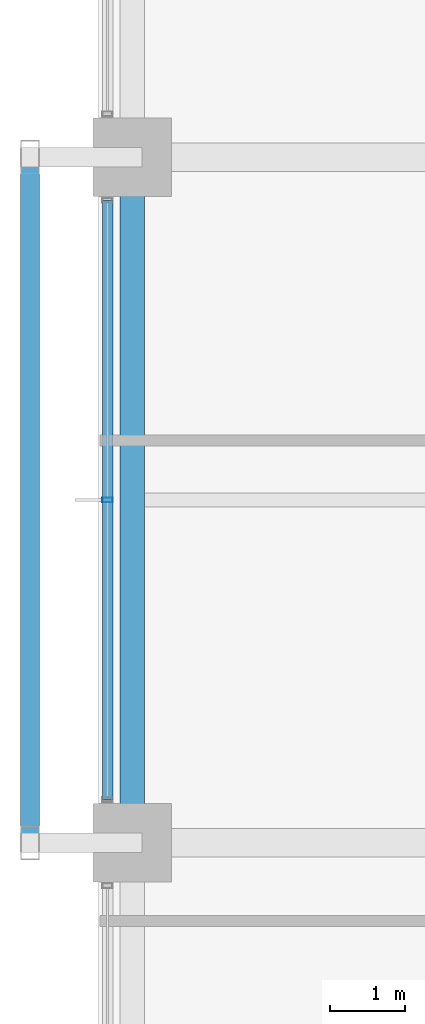
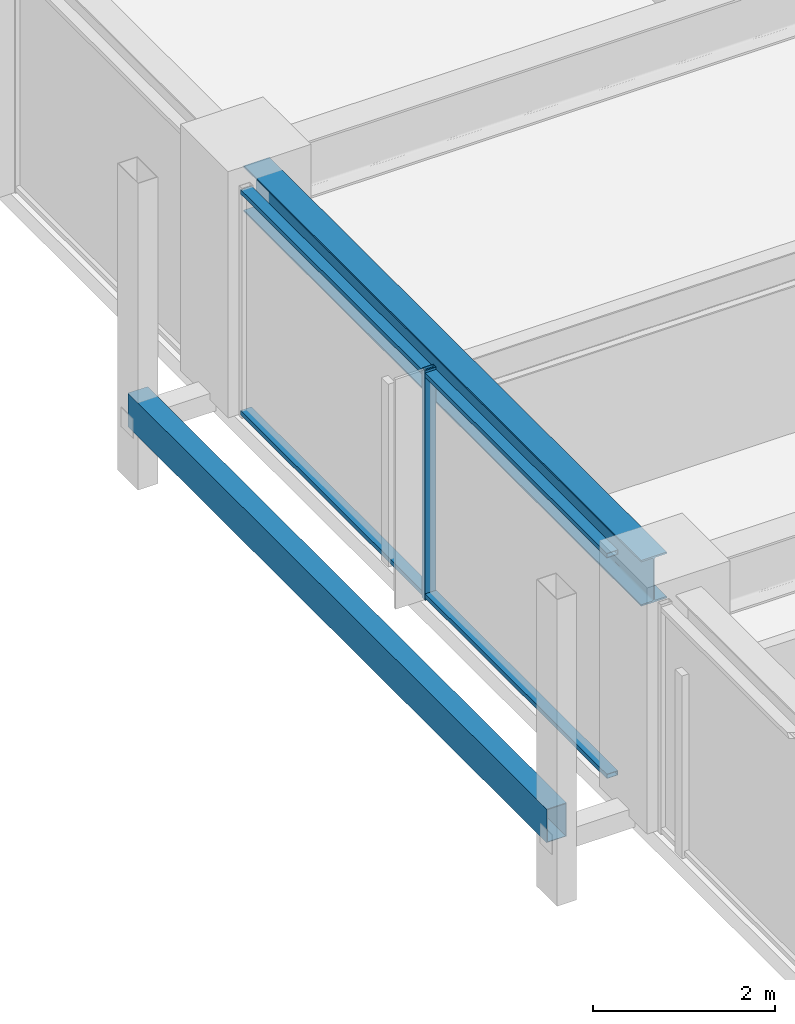
# One storey, part 9 of 38: 4 members, 1 beam, 1 element without a shape of its own.
"""IFC4 building model written with IfcOpenShell, lengths in metres."""

import ifcopenshell
import ifcopenshell.guid

model = None  # the IFC model being written
_history = None  # IfcOwnerHistory: only IFC2X3 demands one
_inside = {}  # id of a spatial element -> (the spatial element, [elements in it])
_under = {}  # id of a project, library or spatial element -> (it, [spatial elements below it])
_declared = {}  # id of a project -> (the project, [libraries it declares])
_typed = {}  # id of a type object -> (the type object, [elements of that type])
_made_of = {}  # id of a material, layer set ... -> (it, [elements and type objects made of it])


def new_model(schema):
    """Start an empty IFC model of exactly this schema.

    Asked for "IFC4X3", IfcOpenShell would pick the latest addendum, in which some entities
    have other attributes; the version numbers below select the first issue.
    IFC2X3 requires an IfcOwnerHistory on every rooted entity: one is made here for all.
    """
    global model, _history
    if schema == "IFC4X3":
        model = ifcopenshell.file(schema_version=(4, 3, 0, 0))
    else:
        model = ifcopenshell.file(schema=schema)
    _inside.clear()
    _under.clear()
    _declared.clear()
    _typed.clear()
    _made_of.clear()
    _history = None
    if model.schema == "IFC2X3":
        org = make("IfcOrganization", Name="unknown")
        user = make(
            "IfcPersonAndOrganization",
            ThePerson=make("IfcPerson", FamilyName="unknown"),
            TheOrganization=org,
        )
        app = make(
            "IfcApplication",
            ApplicationDeveloper=org,
            Version="unknown",
            ApplicationFullName="unknown",
            ApplicationIdentifier="unknown",
        )
        _history = make(
            "IfcOwnerHistory",
            OwningUser=user,
            OwningApplication=app,
            ChangeAction="ADDED",
            CreationDate=0,
        )
    return model


def make(cls, **values):
    """One entity of the class cls with the attributes given. An attribute that is None is left unset."""
    return model.create_entity(
        cls, **{name: value for name, value in values.items() if value is not None}
    )


def rooted(cls, **values):
    """An entity with a GlobalId (a new one), such as an element, a storey or a relation."""
    return make(cls, GlobalId=ifcopenshell.guid.new(), OwnerHistory=_history, **values)


def si_unit(unit_type, name, prefix=None):
    """IfcSIUnit, for example si_unit("LENGTHUNIT", "METRE", prefix="MILLI")."""
    return make("IfcSIUnit", UnitType=unit_type, Prefix=prefix, Name=name)


def assignment(units):
    """IfcUnitAssignment: the units of a project."""
    return None if units is None else make("IfcUnitAssignment", Units=units)


def point(xyz):
    """IfcCartesianPoint."""
    return None if xyz is None else make("IfcCartesianPoint", Coordinates=xyz)


def direction(xyz):
    """IfcDirection."""
    return None if xyz is None else make("IfcDirection", DirectionRatios=xyz)


def frame(location, z_axis=None, x_axis=None):
    """IfcAxis2Placement3D, a coordinate frame: its origin and axes. An axis left out is left unset."""
    return make(
        "IfcAxis2Placement3D",
        Location=point(location),
        Axis=direction(z_axis),
        RefDirection=direction(x_axis),
    )


def frame_2d(location, x_axis=None):
    """IfcAxis2Placement2D, a coordinate frame in the plane: its origin and x axis."""
    return make(
        "IfcAxis2Placement2D", Location=point(location), RefDirection=direction(x_axis)
    )


def origin():
    """The frame at (0, 0, 0) with its axes left unset."""
    return frame((0.0, 0.0, 0.0))


def origin_2d():
    """The frame at (0, 0) in the plane with its x axis left unset."""
    return frame_2d((0.0, 0.0))


def place(relative_to, where):
    """IfcLocalPlacement: puts the frame where relative to a parent placement (None: the world)."""
    return make(
        "IfcLocalPlacement", PlacementRelTo=relative_to, RelativePlacement=where
    )


def context(
    kind, dimensions, precision=None, world=None, true_north=None, identifier=None
):
    """IfcGeometricRepresentationContext, for example the 3D "Model" context."""
    return make(
        "IfcGeometricRepresentationContext",
        ContextIdentifier=identifier,
        ContextType=kind,
        CoordinateSpaceDimension=dimensions,
        Precision=precision,
        WorldCoordinateSystem=world,
        TrueNorth=true_north,
    )


def subcontext(parent, identifier, kind, view, scale=None):
    """IfcGeometricRepresentationSubContext, for example "Body" below "Model"."""
    return make(
        "IfcGeometricRepresentationSubContext",
        ContextIdentifier=identifier,
        ContextType=kind,
        ParentContext=parent,
        TargetScale=scale,
        TargetView=view,
    )


def project(units=None, contexts=None):
    """IfcProject with its units and contexts."""
    return rooted(
        "IfcProject",
        Name="project",
        RepresentationContexts=contexts,
        UnitsInContext=assignment(units),
    )


def spatial(cls, under=None, at=None, **own):
    """A site, building, storey or space (cls), placed at a placement, below another one or the project."""
    s = rooted(cls, ObjectPlacement=at, **own)
    if under is not None:
        _under.setdefault(under.id(), (under, []))[1].append(s)
    return s


def profile(cls, at=None, kind="AREA", **sizes):
    """A parametric profile (cls). Its sizes go by their IFC names, for example OverallWidth=200.0."""
    return make(cls, ProfileType=kind, Position=at, **sizes)


def hollow_rectangle(**sizes):
    """IfcRectangleHollowProfileDef."""
    return profile("IfcRectangleHollowProfileDef", **sizes)


def i_section(**sizes):
    """IfcIShapeProfileDef."""
    return profile("IfcIShapeProfileDef", **sizes)


def extrude(swept, where, along, depth):
    """IfcExtrudedAreaSolid: the profile swept, set in the frame where, extruded along a direction by depth."""
    return make(
        "IfcExtrudedAreaSolid",
        SweptArea=swept,
        Position=where,
        ExtrudedDirection=direction(along),
        Depth=depth,
    )


def shape(context_of_items, identifier, shape_type, items):
    """IfcShapeRepresentation: the items that make up one representation, for example the "Body"."""
    return make(
        "IfcShapeRepresentation",
        ContextOfItems=context_of_items,
        RepresentationIdentifier=identifier,
        RepresentationType=shape_type,
        Items=items,
    )


def material(Name=None, Category=None):
    """IfcMaterial."""
    return make("IfcMaterial", Name=Name, Category=Category)


def material_profile(
    of_material, cross_section, Name=None, Category=None, Priority=None
):
    """IfcMaterialProfile: a cross section and its material."""
    return make(
        "IfcMaterialProfile",
        Name=Name,
        Material=of_material,
        Profile=cross_section,
        Priority=Priority,
        Category=Category,
    )


def profile_set(profiles, Name=None, composite=None):
    """IfcMaterialProfileSet."""
    return make(
        "IfcMaterialProfileSet",
        Name=Name,
        MaterialProfiles=profiles,
        CompositeProfile=composite,
    )


def made_of(thing, what):
    """Note that an element or type object is made of a material, layer set ...; save() writes the relation."""
    if what is not None:
        _made_of.setdefault(what.id(), (what, []))[1].append(thing)
    return thing


def type_object(cls, material=None, **own):
    """A type object (cls), such as IfcWallType, which elements share."""
    return made_of(rooted(cls, **own), material)


def element(
    cls,
    number,
    at=None,
    inside=None,
    cuts=None,
    type_object=None,
    material=None,
    context=None,
    identifier="Body",
    shape_type=None,
    held_by="IfcProductDefinitionShape",
    body=None,
    shapes=None,
    **own,
):
    """One element of the class cls, such as IfcWall. Its Tag is "e" and its number.

    at: its placement. inside: the storey or other place that contains it. cuts: it is an
    opening in that element (IfcRelVoidsElement). A single representation is given by context,
    identifier, shape_type and body (its items); several are given by shapes. held_by: the class
    of the entity that holds the representations. save() writes the other relations.
    """
    e = rooted(cls, Tag="e%d" % number, ObjectPlacement=at, **own)
    if body is not None:
        shapes = [shape(context, identifier, shape_type, body)]
    if shapes is not None:
        e.Representation = make(held_by, Representations=shapes)
    if inside is not None:
        _inside.setdefault(inside.id(), (inside, []))[1].append(e)
    if cuts is not None:
        rooted(
            "IfcRelVoidsElement", RelatingBuildingElement=cuts, RelatedOpeningElement=e
        )
    if type_object is not None:
        _typed.setdefault(type_object.id(), (type_object, []))[1].append(e)
    return made_of(e, material)


def aggregate(whole, parts):
    """IfcRelAggregates: a whole, such as a stair, and the parts it consists of."""
    return rooted("IfcRelAggregates", RelatingObject=whole, RelatedObjects=parts)


def save(model, path):
    """Write the relations noted so far, then the file.

    IfcRelAggregates (storeys below a building ...), IfcRelContainedInSpatialStructure (elements
    in a storey), IfcRelDefinesByType, IfcRelAssociatesMaterial and IfcRelDeclares: one each for
    every whole, place, type object, material and project.
    """
    for whole, parts in _under.values():
        aggregate(whole, parts)
    for where, things in _inside.values():
        rooted(
            "IfcRelContainedInSpatialStructure",
            RelatedElements=things,
            RelatingStructure=where,
        )
    for kind, things in _typed.values():
        rooted("IfcRelDefinesByType", RelatedObjects=things, RelatingType=kind)
    for what, things in _made_of.values():
        rooted("IfcRelAssociatesMaterial", RelatedObjects=things, RelatingMaterial=what)
    for by, libraries in _declared.values():
        rooted("IfcRelDeclares", RelatingContext=by, RelatedDefinitions=libraries)
    model.write(path)


model = new_model("IFC4")

# Units and contexts
model_context = context("Model", 3, precision=1e-05, world=origin(), true_north=direction((0.0, 1.0)))
body_context = subcontext(model_context, "Body", "Model", "MODEL_VIEW")
ifc_project = project(units=[si_unit("LENGTHUNIT", "METRE"), si_unit("AREAUNIT", "SQUARE_METRE"), si_unit("VOLUMEUNIT", "CUBIC_METRE"), si_unit("PLANEANGLEUNIT", "RADIAN"), si_unit("MASSUNIT", "GRAM", prefix="KILO")], contexts=[model_context])

# Site, building, storey
site_placement = place(None, origin())
site = spatial("IfcSite", under=ifc_project, at=site_placement, CompositionType="ELEMENT")
building_placement = place(site_placement, origin())
building = spatial("IfcBuilding", under=site, at=building_placement, Name="Kolvaren Belvedere", CompositionType="ELEMENT")
storey_placement = place(building_placement, frame((0.0, 0.0, 72.199951171875)))
storey = spatial("IfcBuildingStorey", under=building, at=storey_placement, Name="L20", CompositionType="ELEMENT", Elevation=72.199951171875)

# Beam
ifc_material_1 = material(Name="Structural steel ASTM A992 Grade 50", Category="steel")
ifc_material_profile_1 = material_profile(ifc_material_1, i_section(OverallWidth=0.324951171875, OverallDepth=0.615966796875, WebThickness=0.013916015625, FlangeThickness=0.021484375, FilletRadius=0.02001953125, at=origin_2d()), Name="W24X117")
ifc_profile_set_1 = profile_set([ifc_material_profile_1], Name="Structural steel ASTM A992 Grade 50")
beam_type = type_object("IfcBeamType", Name="BM-SPAN-W24X117", PredefinedType="SPANDREL", material=ifc_profile_set_1)
beam_placement = place(storey_placement, frame((-19.949951171875, 4.36376953125, 2.77197265625), z_axis=(0.0, -1.0, 0.0), x_axis=(1.0, 0.0, 0.0)))
element("IfcBeam", 1, at=beam_placement, inside=storey, type_object=beam_type, Name="L20 Perimeter Spandrel W3-W2", PredefinedType="SPANDREL", context=body_context, shape_type="SweptSolid", body=[
    extrude(i_section(OverallWidth=0.324951171875, OverallDepth=0.615966796875, WebThickness=0.013916015625, FlangeThickness=0.021484375, FilletRadius=0.02001953125, at=origin_2d()), origin(), (0.0, 0.0, 1.0), 8.7275390625),
])

# Curtain wall, members
ifc_material_2 = material(Name="Anodised pale-metal aluminium AA 6063-T6", Category="aluminium")
curtain_wall_type = type_object("IfcCurtainWallType", Name="CW-Z2-MID", PredefinedType="NOTDEFINED", material=ifc_material_2)
curtain_wall_placement = place(storey_placement, origin())
curtain_wall = element("IfcCurtainWall", 2, at=curtain_wall_placement, inside=storey, type_object=curtain_wall_type, Name="L20 Unitised Curtain Wall FCW-L20-W-B2", PredefinedType="NOTDEFINED")
ifc_material_3 = material(Name="Anodised pale-metal aluminium AA 6063-T6", Category="aluminium")
ifc_material_profile_2 = material_profile(ifc_material_3, hollow_rectangle(XDim=0.06494140625, YDim=0.139892578125, WallThickness=0.00390625, at=origin_2d()), Name="ALU-MUL-140X65")
ifc_profile_set_2 = profile_set([ifc_material_profile_2], Name="Anodised pale-metal aluminium AA 6063-T6")
member_type_1 = type_object("IfcMemberType", Name="CW-MUL-140", PredefinedType="MULLION", material=ifc_profile_set_2)
member_1_placement = place(storey_placement, frame((-20.280029296875, 0.0, 0.0), z_axis=(0.0, 0.0, 1.0), x_axis=(0.0, 1.0, 0.0)))
member_1 = element("IfcMember", 3, at=member_1_placement, type_object=member_type_1, Name="FCW-L20-W-B2 Unitised Mullion 2", PredefinedType="MULLION", context=body_context, shape_type="SweptSolid", body=[
    extrude(hollow_rectangle(XDim=0.06494140625, YDim=0.139892578125, WallThickness=0.00390625, at=origin_2d()), origin(), (0.0, 0.0, 1.0), 3.080078125),
])
ifc_material_4 = material(Name="Anodised pale-metal aluminium AA 6063-T6", Category="aluminium")
ifc_material_profile_3 = material_profile(ifc_material_4, hollow_rectangle(XDim=0.06005859375, YDim=0.139892578125, WallThickness=0.00390625, at=origin_2d()), Name="ALU-TRN-140X60")
ifc_profile_set_3 = profile_set([ifc_material_profile_3], Name="Anodised pale-metal aluminium AA 6063-T6")
member_type_2 = type_object("IfcMemberType", Name="CW-TRN-140", PredefinedType="USERDEFINED", material=ifc_profile_set_3)
member_2_placement = place(storey_placement, frame((-20.280029296875, -4.0224609375, 0.06005859375), z_axis=(0.0, 1.0, 0.0), x_axis=(0.0, 0.0, 1.0)))
member_2 = element("IfcMember", 4, at=member_2_placement, type_object=member_type_2, Name="FCW-L20-W-B2 Sill Transom", ObjectType="TRANSOM", PredefinedType="USERDEFINED", context=body_context, shape_type="SweptSolid", body=[
    extrude(hollow_rectangle(XDim=0.06005859375, YDim=0.139892578125, WallThickness=0.00390625, at=origin_2d()), origin(), (0.0, 0.0, 1.0), 8.044921875),
])
member_3_placement = place(storey_placement, frame((-20.280029296875, -4.0224609375, 3.02001953125), z_axis=(0.0, 1.0, 0.0), x_axis=(0.0, 0.0, 1.0)))
member_3 = element("IfcMember", 5, at=member_3_placement, type_object=member_type_2, Name="FCW-L20-W-B2 Head Transom", ObjectType="TRANSOM", PredefinedType="USERDEFINED", context=body_context, shape_type="SweptSolid", body=[
    extrude(hollow_rectangle(XDim=0.06005859375, YDim=0.139892578125, WallThickness=0.00390625, at=origin_2d()), origin(), (0.0, 0.0, 1.0), 8.044921875),
])
aggregate(curtain_wall, [member_1, member_2, member_3])

# Member
ifc_material_5 = material(Name="Anodised pale-metal aluminium AA 6063-T6", Category="aluminium")
ifc_material_profile_4 = material_profile(ifc_material_5, hollow_rectangle(XDim=0.25, YDim=0.449951171875, WallThickness=0.008544921875, at=origin_2d()), Name="ALU-PF-450X250")
ifc_profile_set_4 = profile_set([ifc_material_profile_4], Name="Anodised pale-metal aluminium AA 6063-T6")
member_type_3 = type_object("IfcMemberType", Name="PF-FRAME-450", PredefinedType="USERDEFINED", material=ifc_profile_set_4)
member_4_placement = place(storey_placement, frame((-21.320068359375, -4.60009765625, 0.130126953125), z_axis=(0.0, 1.0, 0.0), x_axis=(-1.0, 0.0, 0.0)))
element("IfcMember", 6, at=member_4_placement, inside=storey, type_object=member_type_3, Name="L20 Outboard Picture-Frame Sill W", ObjectType="PICTURE FRAME FIN", PredefinedType="USERDEFINED", context=body_context, shape_type="SweptSolid", body=[
    extrude(hollow_rectangle(XDim=0.25, YDim=0.449951171875, WallThickness=0.008544921875, at=origin_2d()), origin(), (0.0, 0.0, 1.0), 9.2001953125),
])

save(model, "model.ifc")
